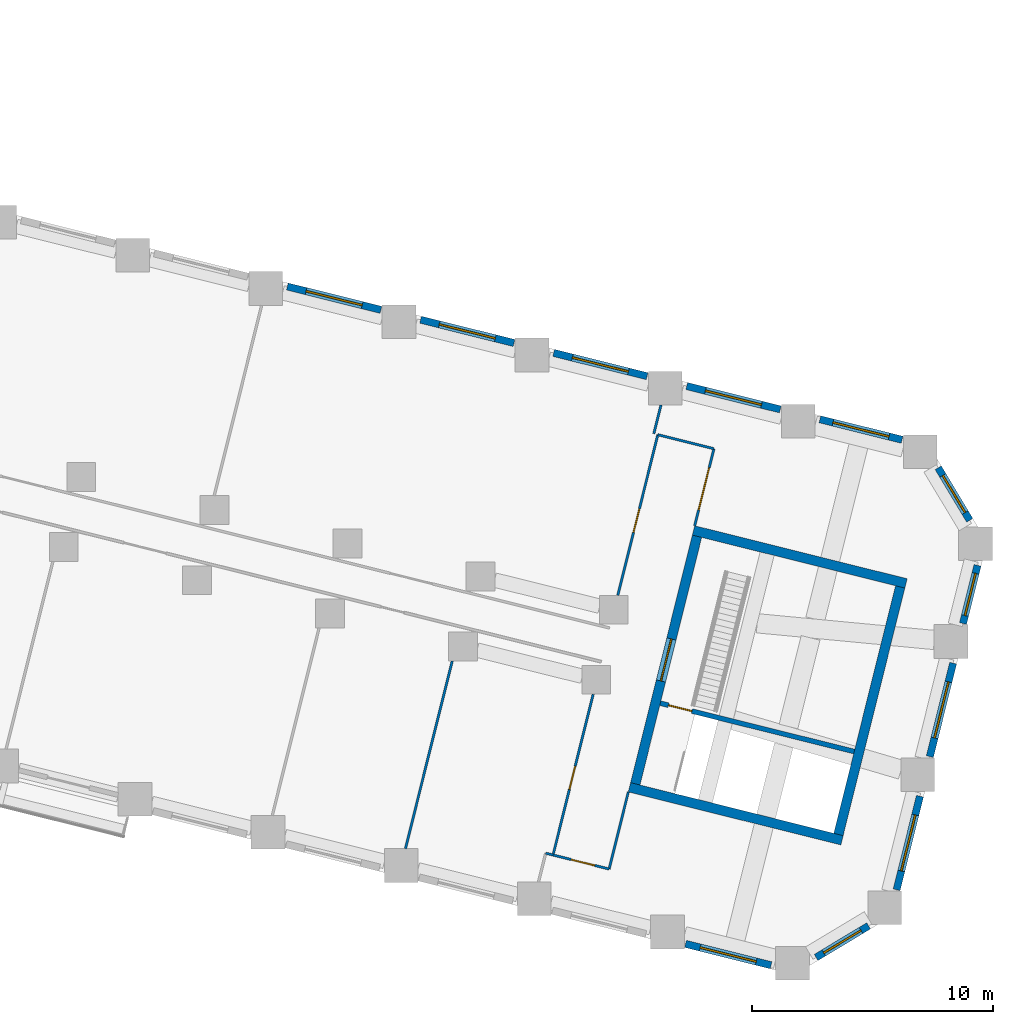
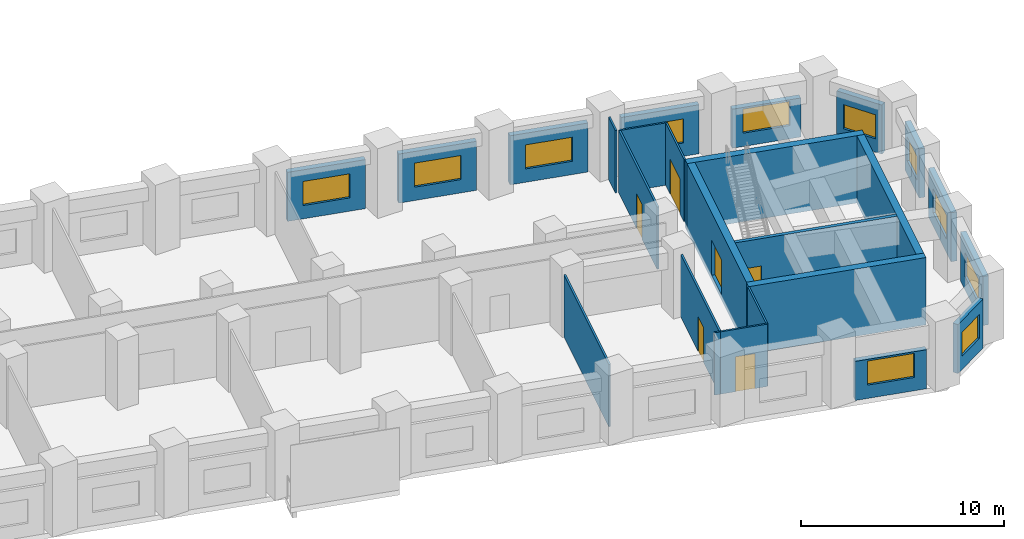
# One storey, part 8 of 12: 25 walls, 11 windows, 6 doors, 17 openings.
"""IFC4 building model written with IfcOpenShell, lengths in metres."""

from ifc_helpers import new_model, si_unit, direction, frame, frame_2d, origin, place, context, subcontext, project, spatial, rectangle, extrude, material, layer, layer_set, type_object, element, fill, save


model = new_model("IFC4")

# Units and contexts
model_context = context("Model", 3, precision=1e-05, world=origin(), true_north=direction((0.0, 1.0)))
body_context = subcontext(model_context, "Body", "Model", "MODEL_VIEW")
ifc_project = project(units=[si_unit("LENGTHUNIT", "METRE"), si_unit("AREAUNIT", "SQUARE_METRE"), si_unit("VOLUMEUNIT", "CUBIC_METRE"), si_unit("PLANEANGLEUNIT", "RADIAN"), si_unit("MASSUNIT", "GRAM", prefix="KILO")], contexts=[model_context])

# Site, building, storey
site_placement = place(None, origin())
site = spatial("IfcSite", under=ifc_project, at=site_placement, CompositionType="ELEMENT")
building_placement = place(site_placement, origin())
building = spatial("IfcBuilding", under=site, at=building_placement, Name="Meshkara Civic Tower", CompositionType="ELEMENT")
storey_placement = place(building_placement, frame((0.0, 0.0, 87.60009765625)))
storey = spatial("IfcBuildingStorey", under=building, at=storey_placement, Name="L19", CompositionType="ELEMENT", Elevation=87.60009765625)

# Wall, opening, door
ifc_material_1 = material(Name="Corridor wall 100")
ifc_layer_1 = layer(ifc_material_1, 0.10009765625)
ifc_layer_set_1 = layer_set([ifc_layer_1], Name="Corridor wall 100")
wall_type_1 = type_object("IfcWallType", Name="Corridor wall 100", PredefinedType="PARTITIONING", material=ifc_layer_set_1)
wall_1_placement = place(storey_placement, frame((72.93603515625, -15.7109375, 0.0), z_axis=(0.0, 0.0, 1.0), x_axis=(0.970232217337, -0.242176473756, 0.0)))
wall_1 = element("IfcWall", 1, at=wall_1_placement, inside=storey, type_object=wall_type_1, Name="L19-W024", PredefinedType="PARTITIONING", context=body_context, shape_type="SweptSolid", body=[
    extrude(rectangle(XDim=2.3994140625, YDim=0.10009765625, at=frame_2d((1.19970703125, 0.0))), origin(), (0.0, 0.0, 1.0), 3.75),
])
opening_1_placement = place(wall_1_placement, frame((0.780029296875, 0.0, 0.0)))
opening_1 = element("IfcOpeningElement", 2, at=opening_1_placement, cuts=wall_1, Name="Opening L19-D002", PredefinedType="OPENING", context=body_context, shape_type="SweptSolid", body=[
    extrude(rectangle(XDim=1.0, YDim=2.10009765625, at=frame_2d((0.5, 1.050048828125))), frame((0.0, 0.06005859375, 0.0), z_axis=(0.0, -1.0, 0.0), x_axis=(1.0, 0.0, 0.0)), (0.0, 0.0, 1.0), 0.1201171875),
])
ifc_material_2 = material(Name="Door 1000 x 2100")
door_type_1 = type_object("IfcDoorType", Name="Door 1000 x 2100", OperationType="SINGLE_SWING_LEFT", PredefinedType="DOOR", material=ifc_material_2)
door_1_placement = place(opening_1_placement, origin())
door_1 = element("IfcDoor", 3, at=door_1_placement, inside=storey, type_object=door_type_1, Name="L19-D002", OperationType="SINGLE_SWING_LEFT", OverallHeight=2.10009765625, OverallWidth=1.0, PredefinedType="DOOR", context=body_context, shape_type="SweptSolid", body=[
    extrude(rectangle(XDim=1.0, YDim=2.10009765625, at=frame_2d((0.5, 1.050048828125))), frame((0.0, 0.02490234375, 0.0), z_axis=(0.0, -1.0, 0.0), x_axis=(1.0, 0.0, 0.0)), (0.0, 0.0, 1.0), 0.050048828125),
])
fill(opening_1, door_1)

wall_2_placement = place(storey_placement, frame((74.60205078125, -9.029052734375, 0.0), z_axis=(0.0, 0.0, 1.0), x_axis=(-0.241926631527, -0.970294545465, 0.0)))
wall_2 = element("IfcWall", 4, at=wall_2_placement, inside=storey, type_object=wall_type_1, Name="L19-W025", PredefinedType="PARTITIONING", context=body_context, shape_type="SweptSolid", body=[
    extrude(rectangle(XDim=6.886474609375, YDim=0.10009765625, at=frame_2d((3.443359375, 0.0))), origin(), (0.0, 0.0, 1.0), 3.75),
])
opening_2_placement = place(wall_2_placement, frame((3.080078125, 0.0, 0.0)))
opening_2 = element("IfcOpeningElement", 5, at=opening_2_placement, cuts=wall_2, Name="Opening L19-D001", PredefinedType="OPENING", context=body_context, shape_type="SweptSolid", body=[
    extrude(rectangle(XDim=1.0, YDim=2.10009765625, at=frame_2d((0.5, 1.050048828125))), frame((0.0, 0.06005859375, 0.0), z_axis=(0.0, -1.0, 0.0), x_axis=(1.0, 0.0, 0.0)), (0.0, 0.0, 1.0), 0.1201171875),
])
door_2_placement = place(opening_2_placement, origin())
door_2 = element("IfcDoor", 6, at=door_2_placement, inside=storey, type_object=door_type_1, Name="L19-D001", OperationType="SINGLE_SWING_LEFT", OverallHeight=2.10009765625, OverallWidth=1.0, PredefinedType="DOOR", context=body_context, shape_type="SweptSolid", body=[
    extrude(rectangle(XDim=1.0, YDim=2.10009765625, at=frame_2d((0.5, 1.050048828125))), frame((0.0, 0.02490234375, 0.0), z_axis=(0.0, -1.0, 0.0), x_axis=(1.0, 0.0, 0.0)), (0.0, 0.0, 1.0), 0.050048828125),
])
fill(opening_2, door_2)

# Wall
wall_3_placement = place(storey_placement, frame((75.263916015625, -16.2919921875, 0.0), z_axis=(0.0, 0.0, 1.0), x_axis=(0.242135244173, 0.970242507587, 0.0)))
element("IfcWall", 7, at=wall_3_placement, inside=storey, type_object=wall_type_1, Name="L19-W026", PredefinedType="PARTITIONING", context=body_context, shape_type="SweptSolid", body=[
    extrude(rectangle(XDim=3.300048828125, YDim=0.10009765625, at=frame_2d((1.64990234375, 0.0))), origin(), (0.0, 0.0, 1.0), 3.75),
])

# Wall, opening, door
wall_4_placement = place(storey_placement, frame((77.2900390625, 1.75390625, 0.0), z_axis=(0.0, 0.0, 1.0), x_axis=(-0.241867218289, -0.970309357224, 0.0)))
wall_4 = element("IfcWall", 8, at=wall_4_placement, inside=storey, type_object=wall_type_1, Name="L19-W027", PredefinedType="PARTITIONING", context=body_context, shape_type="SweptSolid", body=[
    extrude(rectangle(XDim=6.8759765625, YDim=0.10009765625, at=frame_2d((3.43798828125, 0.0))), origin(), (0.0, 0.0, 1.0), 3.75),
])
opening_3_placement = place(wall_4_placement, frame((3.179931640625, 0.0, 0.0)))
opening_3 = element("IfcOpeningElement", 9, at=opening_3_placement, cuts=wall_4, Name="Opening L19-D008", PredefinedType="OPENING", context=body_context, shape_type="SweptSolid", body=[
    extrude(rectangle(XDim=1.0, YDim=2.10009765625, at=frame_2d((0.5, 1.050048828125))), frame((0.0, 0.06005859375, 0.0), z_axis=(0.0, -1.0, 0.0), x_axis=(1.0, 0.0, 0.0)), (0.0, 0.0, 1.0), 0.1201171875),
])
door_3_placement = place(opening_3_placement, origin())
door_3 = element("IfcDoor", 10, at=door_3_placement, inside=storey, type_object=door_type_1, Name="L19-D008", OperationType="SINGLE_SWING_LEFT", OverallHeight=2.10009765625, OverallWidth=1.0, PredefinedType="DOOR", context=body_context, shape_type="SweptSolid", body=[
    extrude(rectangle(XDim=1.0, YDim=2.10009765625, at=frame_2d((0.5, 1.050048828125))), frame((0.0, 0.02490234375, 0.0), z_axis=(0.0, -1.0, 0.0), x_axis=(1.0, 0.0, 0.0)), (0.0, 0.0, 1.0), 0.050048828125),
])
fill(opening_3, door_3)

wall_5_placement = place(storey_placement, frame((78.821044921875, -2.029052734375, 0.0), z_axis=(0.0, 0.0, 1.0), x_axis=(0.241769629392, 0.970333677816, 0.0)))
wall_5 = element("IfcWall", 11, at=wall_5_placement, inside=storey, type_object=wall_type_1, Name="L19-W028", PredefinedType="PARTITIONING", context=body_context, shape_type="SweptSolid", body=[
    extrude(rectangle(XDim=3.300048828125, YDim=0.10009765625, at=frame_2d((1.64990234375, 0.0))), origin(), (0.0, 0.0, 1.0), 3.75),
])
opening_4_placement = place(wall_5_placement, frame((0.679931640625, 0.0, 0.0)))
opening_4 = element("IfcOpeningElement", 12, at=opening_4_placement, cuts=wall_5, Name="Opening L19-D009", PredefinedType="OPENING", context=body_context, shape_type="SweptSolid", body=[
    extrude(rectangle(XDim=1.800048828125, YDim=2.10009765625, at=frame_2d((0.89990234375, 1.050048828125))), frame((0.0, 0.06005859375, 0.0), z_axis=(0.0, -1.0, 0.0), x_axis=(1.0, 0.0, 0.0)), (0.0, 0.0, 1.0), 0.1201171875),
])
ifc_material_3 = material(Name="Door pair 1800 x 2100")
door_type_2 = type_object("IfcDoorType", Name="Door pair 1800 x 2100", OperationType="SINGLE_SWING_LEFT", PredefinedType="DOOR", material=ifc_material_3)
door_4_placement = place(opening_4_placement, origin())
door_4 = element("IfcDoor", 13, at=door_4_placement, inside=storey, type_object=door_type_2, Name="L19-D009", OperationType="DOUBLE_DOOR_SINGLE_SWING", OverallHeight=2.10009765625, OverallWidth=1.800048828125, PredefinedType="DOOR", context=body_context, shape_type="SweptSolid", body=[
    extrude(rectangle(XDim=1.800048828125, YDim=2.10009765625, at=frame_2d((0.89990234375, 1.050048828125))), frame((0.0, 0.02490234375, 0.0), z_axis=(0.0, -1.0, 0.0), x_axis=(1.0, 0.0, 0.0)), (0.0, 0.0, 1.0), 0.050048828125),
])
fill(opening_4, door_4)

# Wall
wall_6_placement = place(storey_placement, frame((79.618896484375, 1.173095703125, 0.0), z_axis=(0.0, 0.0, 1.0), x_axis=(-0.970279961304, 0.241985116673, 0.0)))
element("IfcWall", 14, at=wall_6_placement, inside=storey, type_object=wall_type_1, Name="L19-W029", PredefinedType="PARTITIONING", context=body_context, shape_type="SweptSolid", body=[
    extrude(rectangle(XDim=2.400146484375, YDim=0.10009765625, at=frame_2d((1.2001953125, 0.0))), origin(), (0.0, 0.0, 1.0), 3.75),
])

# Wall, opening, window
ifc_material_4 = material(Name="Insulated infill panel with bronze anodised aluminium cladding", Category="aluminium")
ifc_layer_2 = layer(ifc_material_4, 0.300048828125)
ifc_layer_set_2 = layer_set([ifc_layer_2], Name="EXTERNAL INFILL WALL 300")
wall_type_2 = type_object("IfcWallType", Name="EXTERNAL INFILL WALL 300", PredefinedType="SOLIDWALL", material=ifc_layer_set_2)
wall_7_placement = place(storey_placement, frame((87.43505859375, 1.54296875, 0.0), z_axis=(0.0, 0.0, 1.0), x_axis=(-0.970289298425, 0.241947674843, 0.0)))
wall_7 = element("IfcWall", 15, at=wall_7_placement, inside=storey, type_object=wall_type_2, Name="External wall", PredefinedType="SOLIDWALL", context=body_context, shape_type="SweptSolid", body=[
    extrude(rectangle(XDim=3.517578125, YDim=0.300048828125, at=frame_2d((1.7587890625, 0.0))), origin(), (0.0, 0.0, 1.0), 2.349853515625),
])
opening_5_placement = place(wall_7_placement, frame((0.55908203125, 0.0, 0.800048828125)))
opening_5 = element("IfcOpeningElement", 16, at=opening_5_placement, cuts=wall_7, Name="Opening W8", PredefinedType="OPENING", context=body_context, shape_type="SweptSolid", body=[
    extrude(rectangle(XDim=2.39990234375, YDim=1.449951171875, at=frame_2d((1.199951171875, 0.72509765625))), frame((0.0, 0.159912109375, 0.0), z_axis=(0.0, -1.0, 0.0), x_axis=(1.0, 0.0, 0.0)), (0.0, 0.0, 1.0), 0.320068359375),
])
ifc_material_5 = material(Name="Tinted double glazing", Category="glass")
window_type_1 = type_object("IfcWindowType", Name="WINDOW 2400x1450", PartitioningType="DOUBLE_PANEL_VERTICAL", PredefinedType="WINDOW", material=ifc_material_5)
window_1_placement = place(opening_5_placement, origin())
window_1 = element("IfcWindow", 17, at=window_1_placement, inside=storey, type_object=window_type_1, Name="Window", OverallHeight=1.449951171875, OverallWidth=2.39990234375, PartitioningType="DOUBLE_PANEL_VERTICAL", PredefinedType="WINDOW", context=body_context, shape_type="SweptSolid", body=[
    extrude(rectangle(XDim=2.39990234375, YDim=1.449951171875, at=frame_2d((1.199951171875, 0.72509765625))), frame((0.0, 0.030029296875, 0.0), z_axis=(0.0, -1.0, 0.0), x_axis=(1.0, 0.0, 0.0)), (0.0, 0.0, 1.0), 0.06005859375),
])
fill(opening_5, window_1)

wall_8_placement = place(storey_placement, frame((82.375, 2.804931640625, 0.0), z_axis=(0.0, 0.0, 1.0), x_axis=(-0.970318045095, 0.24183236211, 0.0)))
wall_8 = element("IfcWall", 18, at=wall_8_placement, inside=storey, type_object=wall_type_2, Name="External wall", PredefinedType="SOLIDWALL", context=body_context, shape_type="SweptSolid", body=[
    extrude(rectangle(XDim=4.0029296875, YDim=0.300048828125, at=frame_2d((2.00146484375, 0.0))), origin(), (0.0, 0.0, 1.0), 2.949951171875),
])
opening_6_placement = place(wall_8_placement, frame((0.802001953125, 0.0, 0.800048828125)))
opening_6 = element("IfcOpeningElement", 19, at=opening_6_placement, cuts=wall_8, Name="Opening W8", PredefinedType="OPENING", context=body_context, shape_type="SweptSolid", body=[
    extrude(rectangle(XDim=2.39990234375, YDim=1.449951171875, at=frame_2d((1.199951171875, 0.72509765625))), frame((0.0, 0.159912109375, 0.0), z_axis=(0.0, -1.0, 0.0), x_axis=(1.0, 0.0, 0.0)), (0.0, 0.0, 1.0), 0.320068359375),
])
window_2_placement = place(opening_6_placement, origin())
window_2 = element("IfcWindow", 20, at=window_2_placement, inside=storey, type_object=window_type_1, Name="Window", OverallHeight=1.449951171875, OverallWidth=2.39990234375, PartitioningType="DOUBLE_PANEL_VERTICAL", PredefinedType="WINDOW", context=body_context, shape_type="SweptSolid", body=[
    extrude(rectangle(XDim=2.39990234375, YDim=1.449951171875, at=frame_2d((1.199951171875, 0.72509765625))), frame((0.0, 0.030029296875, 0.0), z_axis=(0.0, -1.0, 0.0), x_axis=(1.0, 0.0, 0.0)), (0.0, 0.0, 1.0), 0.06005859375),
])
fill(opening_6, window_2)

wall_9_placement = place(storey_placement, frame((76.843994140625, 4.18408203125, 0.0), z_axis=(0.0, 0.0, 1.0), x_axis=(-0.970303772127, 0.241889623168, 0.0)))
wall_9 = element("IfcWall", 21, at=wall_9_placement, inside=storey, type_object=wall_type_2, Name="External wall", PredefinedType="SOLIDWALL", context=body_context, shape_type="SweptSolid", body=[
    extrude(rectangle(XDim=4.001953125, YDim=0.300048828125, at=frame_2d((2.0009765625, 0.0))), origin(), (0.0, 0.0, 1.0), 2.949951171875),
])
opening_7_placement = place(wall_9_placement, frame((0.801025390625, 0.0, 0.800048828125)))
opening_7 = element("IfcOpeningElement", 22, at=opening_7_placement, cuts=wall_9, Name="Opening W8", PredefinedType="OPENING", context=body_context, shape_type="SweptSolid", body=[
    extrude(rectangle(XDim=2.39990234375, YDim=1.449951171875, at=frame_2d((1.199951171875, 0.72509765625))), frame((0.0, 0.159912109375, 0.0), z_axis=(0.0, -1.0, 0.0), x_axis=(1.0, 0.0, 0.0)), (0.0, 0.0, 1.0), 0.320068359375),
])
window_3_placement = place(opening_7_placement, origin())
window_3 = element("IfcWindow", 23, at=window_3_placement, inside=storey, type_object=window_type_1, Name="Window", OverallHeight=1.449951171875, OverallWidth=2.39990234375, PartitioningType="DOUBLE_PANEL_VERTICAL", PredefinedType="WINDOW", context=body_context, shape_type="SweptSolid", body=[
    extrude(rectangle(XDim=2.39990234375, YDim=1.449951171875, at=frame_2d((1.199951171875, 0.72509765625))), frame((0.0, 0.030029296875, 0.0), z_axis=(0.0, -1.0, 0.0), x_axis=(1.0, 0.0, 0.0)), (0.0, 0.0, 1.0), 0.06005859375),
])
fill(opening_7, window_3)

wall_10_placement = place(storey_placement, frame((71.31396484375, 5.56298828125, 0.0), z_axis=(0.0, 0.0, 1.0), x_axis=(-0.970318045095, 0.24183236211, 0.0)))
wall_10 = element("IfcWall", 24, at=wall_10_placement, inside=storey, type_object=wall_type_2, Name="External wall", PredefinedType="SOLIDWALL", context=body_context, shape_type="SweptSolid", body=[
    extrude(rectangle(XDim=4.0029296875, YDim=0.300048828125, at=frame_2d((2.00146484375, 0.0))), origin(), (0.0, 0.0, 1.0), 2.949951171875),
])
opening_8_placement = place(wall_10_placement, frame((0.802001953125, 0.0, 0.800048828125)))
opening_8 = element("IfcOpeningElement", 25, at=opening_8_placement, cuts=wall_10, Name="Opening W8", PredefinedType="OPENING", context=body_context, shape_type="SweptSolid", body=[
    extrude(rectangle(XDim=2.39990234375, YDim=1.449951171875, at=frame_2d((1.199951171875, 0.72509765625))), frame((0.0, 0.159912109375, 0.0), z_axis=(0.0, -1.0, 0.0), x_axis=(1.0, 0.0, 0.0)), (0.0, 0.0, 1.0), 0.320068359375),
])
window_4_placement = place(opening_8_placement, origin())
window_4 = element("IfcWindow", 26, at=window_4_placement, inside=storey, type_object=window_type_1, Name="Window", OverallHeight=1.449951171875, OverallWidth=2.39990234375, PartitioningType="DOUBLE_PANEL_VERTICAL", PredefinedType="WINDOW", context=body_context, shape_type="SweptSolid", body=[
    extrude(rectangle(XDim=2.39990234375, YDim=1.449951171875, at=frame_2d((1.199951171875, 0.72509765625))), frame((0.0, 0.030029296875, 0.0), z_axis=(0.0, -1.0, 0.0), x_axis=(1.0, 0.0, 0.0)), (0.0, 0.0, 1.0), 0.06005859375),
])
fill(opening_8, window_4)

wall_11_placement = place(storey_placement, frame((65.782958984375, 6.94189453125, 0.0), z_axis=(0.0, 0.0, 1.0), x_axis=(-0.970318045095, 0.24183236211, 0.0)))
wall_11 = element("IfcWall", 27, at=wall_11_placement, inside=storey, type_object=wall_type_2, Name="External wall", PredefinedType="SOLIDWALL", context=body_context, shape_type="SweptSolid", body=[
    extrude(rectangle(XDim=4.0029296875, YDim=0.300048828125, at=frame_2d((2.00146484375, 0.0))), origin(), (0.0, 0.0, 1.0), 2.949951171875),
])
opening_9_placement = place(wall_11_placement, frame((0.802001953125, 0.0, 0.800048828125)))
opening_9 = element("IfcOpeningElement", 28, at=opening_9_placement, cuts=wall_11, Name="Opening W8", PredefinedType="OPENING", context=body_context, shape_type="SweptSolid", body=[
    extrude(rectangle(XDim=2.39990234375, YDim=1.449951171875, at=frame_2d((1.199951171875, 0.72509765625))), frame((0.0, 0.159912109375, 0.0), z_axis=(0.0, -1.0, 0.0), x_axis=(1.0, 0.0, 0.0)), (0.0, 0.0, 1.0), 0.320068359375),
])
window_5_placement = place(opening_9_placement, origin())
window_5 = element("IfcWindow", 29, at=window_5_placement, inside=storey, type_object=window_type_1, Name="Window", OverallHeight=1.449951171875, OverallWidth=2.39990234375, PartitioningType="DOUBLE_PANEL_VERTICAL", PredefinedType="WINDOW", context=body_context, shape_type="SweptSolid", body=[
    extrude(rectangle(XDim=2.39990234375, YDim=1.449951171875, at=frame_2d((1.199951171875, 0.72509765625))), frame((0.0, 0.030029296875, 0.0), z_axis=(0.0, -1.0, 0.0), x_axis=(1.0, 0.0, 0.0)), (0.0, 0.0, 1.0), 0.06005859375),
])
fill(opening_9, window_5)

wall_12_placement = place(storey_placement, frame((78.43994140625, -19.402099609375, 0.0), z_axis=(0.0, 0.0, 1.0), x_axis=(0.970271818873, -0.24201776278, 0.0)))
wall_12 = element("IfcWall", 30, at=wall_12_placement, inside=storey, type_object=wall_type_2, Name="External wall", PredefinedType="SOLIDWALL", context=body_context, shape_type="SweptSolid", body=[
    extrude(rectangle(XDim=3.660888671875, YDim=0.300048828125, at=frame_2d((1.83056640625, 0.0))), origin(), (0.0, 0.0, 1.0), 2.349853515625),
])
opening_10_placement = place(wall_12_placement, frame((0.6298828125, 0.0, 0.800048828125)))
opening_10 = element("IfcOpeningElement", 31, at=opening_10_placement, cuts=wall_12, Name="Opening W8", PredefinedType="OPENING", context=body_context, shape_type="SweptSolid", body=[
    extrude(rectangle(XDim=2.39990234375, YDim=1.449951171875, at=frame_2d((1.199951171875, 0.72509765625))), frame((0.0, 0.159912109375, 0.0), z_axis=(0.0, -1.0, 0.0), x_axis=(1.0, 0.0, 0.0)), (0.0, 0.0, 1.0), 0.320068359375),
])
window_6_placement = place(opening_10_placement, origin())
window_6 = element("IfcWindow", 32, at=window_6_placement, inside=storey, type_object=window_type_1, Name="Window", OverallHeight=1.449951171875, OverallWidth=2.39990234375, PartitioningType="DOUBLE_PANEL_VERTICAL", PredefinedType="WINDOW", context=body_context, shape_type="SweptSolid", body=[
    extrude(rectangle(XDim=2.39990234375, YDim=1.449951171875, at=frame_2d((1.199951171875, 0.72509765625))), frame((0.0, 0.030029296875, 0.0), z_axis=(0.0, -1.0, 0.0), x_axis=(1.0, 0.0, 0.0)), (0.0, 0.0, 1.0), 0.06005859375),
])
fill(opening_10, window_6)

wall_13_placement = place(storey_placement, frame((83.865966796875, -19.965087890625, 0.0), z_axis=(0.0, 0.0, 1.0), x_axis=(0.857026568426, 0.515272220299, 0.0)))
wall_13 = element("IfcWall", 33, at=wall_13_placement, inside=storey, type_object=wall_type_2, Name="External wall", PredefinedType="SOLIDWALL", context=body_context, shape_type="SweptSolid", body=[
    extrude(rectangle(XDim=2.54248046875, YDim=0.300048828125, at=frame_2d((1.271240234375, 0.0))), origin(), (0.0, 0.0, 1.0), 2.949951171875),
])
opening_11_placement = place(wall_13_placement, frame((0.37109375, 0.0, 0.800048828125)))
opening_11 = element("IfcOpeningElement", 34, at=opening_11_placement, cuts=wall_13, Name="Opening W10", PredefinedType="OPENING", context=body_context, shape_type="SweptSolid", body=[
    extrude(rectangle(XDim=1.800048828125, YDim=1.449951171875, at=frame_2d((0.89990234375, 0.72509765625))), frame((0.0, 0.159912109375, 0.0), z_axis=(0.0, -1.0, 0.0), x_axis=(1.0, 0.0, 0.0)), (0.0, 0.0, 1.0), 0.320068359375),
])
ifc_material_6 = material(Name="Tinted double glazing", Category="glass")
window_type_2 = type_object("IfcWindowType", Name="WINDOW 1800x1450", PartitioningType="DOUBLE_PANEL_VERTICAL", PredefinedType="WINDOW", material=ifc_material_6)
window_7_placement = place(opening_11_placement, origin())
window_7 = element("IfcWindow", 35, at=window_7_placement, inside=storey, type_object=window_type_2, Name="Window", OverallHeight=1.449951171875, OverallWidth=1.800048828125, PartitioningType="DOUBLE_PANEL_VERTICAL", PredefinedType="WINDOW", context=body_context, shape_type="SweptSolid", body=[
    extrude(rectangle(XDim=1.800048828125, YDim=1.449951171875, at=frame_2d((0.89990234375, 0.72509765625))), frame((0.0, 0.030029296875, 0.0), z_axis=(0.0, -1.0, 0.0), x_axis=(1.0, 0.0, 0.0)), (0.0, 0.0, 1.0), 0.06005859375),
])
fill(opening_11, window_7)

wall_14_placement = place(storey_placement, frame((87.2109375, -17.152099609375, 0.0), z_axis=(0.0, 0.0, 1.0), x_axis=(0.24183236211, 0.970318045095, 0.0)))
wall_14 = element("IfcWall", 36, at=wall_14_placement, inside=storey, type_object=wall_type_2, Name="External wall", PredefinedType="SOLIDWALL", context=body_context, shape_type="SweptSolid", body=[
    extrude(rectangle(XDim=4.0029296875, YDim=0.300048828125, at=frame_2d((2.00146484375, 0.0))), origin(), (0.0, 0.0, 1.0), 2.949951171875),
])
opening_12_placement = place(wall_14_placement, frame((0.802001953125, 0.0, 0.800048828125)))
opening_12 = element("IfcOpeningElement", 37, at=opening_12_placement, cuts=wall_14, Name="Opening W8", PredefinedType="OPENING", context=body_context, shape_type="SweptSolid", body=[
    extrude(rectangle(XDim=2.39990234375, YDim=1.449951171875, at=frame_2d((1.199951171875, 0.72509765625))), frame((0.0, 0.159912109375, 0.0), z_axis=(0.0, -1.0, 0.0), x_axis=(1.0, 0.0, 0.0)), (0.0, 0.0, 1.0), 0.320068359375),
])
window_8_placement = place(opening_12_placement, origin())
window_8 = element("IfcWindow", 38, at=window_8_placement, inside=storey, type_object=window_type_1, Name="Window", OverallHeight=1.449951171875, OverallWidth=2.39990234375, PartitioningType="DOUBLE_PANEL_VERTICAL", PredefinedType="WINDOW", context=body_context, shape_type="SweptSolid", body=[
    extrude(rectangle(XDim=2.39990234375, YDim=1.449951171875, at=frame_2d((1.199951171875, 0.72509765625))), frame((0.0, 0.030029296875, 0.0), z_axis=(0.0, -1.0, 0.0), x_axis=(1.0, 0.0, 0.0)), (0.0, 0.0, 1.0), 0.06005859375),
])
fill(opening_12, window_8)

wall_15_placement = place(storey_placement, frame((88.590087890625, -11.62109375, 0.0), z_axis=(0.0, 0.0, 1.0), x_axis=(0.241889623168, 0.970303772127, 0.0)))
wall_15 = element("IfcWall", 39, at=wall_15_placement, inside=storey, type_object=wall_type_2, Name="External wall", PredefinedType="SOLIDWALL", context=body_context, shape_type="SweptSolid", body=[
    extrude(rectangle(XDim=4.001953125, YDim=0.300048828125, at=frame_2d((2.0009765625, 0.0))), origin(), (0.0, 0.0, 1.0), 2.949951171875),
])
opening_13_placement = place(wall_15_placement, frame((0.801025390625, 0.0, 0.800048828125)))
opening_13 = element("IfcOpeningElement", 40, at=opening_13_placement, cuts=wall_15, Name="Opening W8", PredefinedType="OPENING", context=body_context, shape_type="SweptSolid", body=[
    extrude(rectangle(XDim=2.39990234375, YDim=1.449951171875, at=frame_2d((1.199951171875, 0.72509765625))), frame((0.0, 0.159912109375, 0.0), z_axis=(0.0, -1.0, 0.0), x_axis=(1.0, 0.0, 0.0)), (0.0, 0.0, 1.0), 0.320068359375),
])
window_9_placement = place(opening_13_placement, origin())
window_9 = element("IfcWindow", 41, at=window_9_placement, inside=storey, type_object=window_type_1, Name="Window", OverallHeight=1.449951171875, OverallWidth=2.39990234375, PartitioningType="DOUBLE_PANEL_VERTICAL", PredefinedType="WINDOW", context=body_context, shape_type="SweptSolid", body=[
    extrude(rectangle(XDim=2.39990234375, YDim=1.449951171875, at=frame_2d((1.199951171875, 0.72509765625))), frame((0.0, 0.030029296875, 0.0), z_axis=(0.0, -1.0, 0.0), x_axis=(1.0, 0.0, 0.0)), (0.0, 0.0, 1.0), 0.06005859375),
])
fill(opening_13, window_9)

wall_16_placement = place(storey_placement, frame((89.968994140625, -6.091064453125, 0.0), z_axis=(0.0, 0.0, 1.0), x_axis=(0.241797277733, 0.9703267885, 0.0)))
wall_16 = element("IfcWall", 42, at=wall_16_placement, inside=storey, type_object=wall_type_2, Name="External wall", PredefinedType="SOLIDWALL", context=body_context, shape_type="SweptSolid", body=[
    extrude(rectangle(XDim=2.489990234375, YDim=0.300048828125, at=frame_2d((1.2451171875, 0.0))), origin(), (0.0, 0.0, 1.0), 2.949951171875),
])
opening_14_placement = place(wall_16_placement, frame((0.344970703125, 0.0, 0.800048828125)))
opening_14 = element("IfcOpeningElement", 43, at=opening_14_placement, cuts=wall_16, Name="Opening W10", PredefinedType="OPENING", context=body_context, shape_type="SweptSolid", body=[
    extrude(rectangle(XDim=1.800048828125, YDim=1.449951171875, at=frame_2d((0.89990234375, 0.72509765625))), frame((0.0, 0.159912109375, 0.0), z_axis=(0.0, -1.0, 0.0), x_axis=(1.0, 0.0, 0.0)), (0.0, 0.0, 1.0), 0.320068359375),
])
window_10_placement = place(opening_14_placement, origin())
window_10 = element("IfcWindow", 44, at=window_10_placement, inside=storey, type_object=window_type_2, Name="Window", OverallHeight=1.449951171875, OverallWidth=1.800048828125, PartitioningType="DOUBLE_PANEL_VERTICAL", PredefinedType="WINDOW", context=body_context, shape_type="SweptSolid", body=[
    extrude(rectangle(XDim=1.800048828125, YDim=1.449951171875, at=frame_2d((0.89990234375, 0.72509765625))), frame((0.0, 0.030029296875, 0.0), z_axis=(0.0, -1.0, 0.0), x_axis=(1.0, 0.0, 0.0)), (0.0, 0.0, 1.0), 0.06005859375),
])
fill(opening_14, window_10)

wall_17_placement = place(storey_placement, frame((90.248046875, -1.801025390625, 0.0), z_axis=(0.0, 0.0, 1.0), x_axis=(-0.515441886055, 0.856924536992, 0.0)))
wall_17 = element("IfcWall", 45, at=wall_17_placement, inside=storey, type_object=wall_type_2, Name="External wall", PredefinedType="SOLIDWALL", context=body_context, shape_type="SweptSolid", body=[
    extrude(rectangle(XDim=2.54150390625, YDim=0.300048828125, at=frame_2d((1.270751953125, 0.0))), origin(), (0.0, 0.0, 1.0), 2.949951171875),
])
opening_15_placement = place(wall_17_placement, frame((0.37109375, 0.0, 0.800048828125)))
opening_15 = element("IfcOpeningElement", 46, at=opening_15_placement, cuts=wall_17, Name="Opening W10", PredefinedType="OPENING", context=body_context, shape_type="SweptSolid", body=[
    extrude(rectangle(XDim=1.800048828125, YDim=1.449951171875, at=frame_2d((0.89990234375, 0.72509765625))), frame((0.0, 0.159912109375, 0.0), z_axis=(0.0, -1.0, 0.0), x_axis=(1.0, 0.0, 0.0)), (0.0, 0.0, 1.0), 0.320068359375),
])
window_11_placement = place(opening_15_placement, origin())
window_11 = element("IfcWindow", 47, at=window_11_placement, inside=storey, type_object=window_type_2, Name="Window", OverallHeight=1.449951171875, OverallWidth=1.800048828125, PartitioningType="DOUBLE_PANEL_VERTICAL", PredefinedType="WINDOW", context=body_context, shape_type="SweptSolid", body=[
    extrude(rectangle(XDim=1.800048828125, YDim=1.449951171875, at=frame_2d((0.89990234375, 0.72509765625))), frame((0.0, 0.030029296875, 0.0), z_axis=(0.0, -1.0, 0.0), x_axis=(1.0, 0.0, 0.0)), (0.0, 0.0, 1.0), 0.06005859375),
])
fill(opening_15, window_11)

# Walls
ifc_material_7 = material(Name="Concrete C80", Category="concrete")
ifc_layer_3 = layer(ifc_material_7, 0.39990234375)
ifc_layer_set_3 = layer_set([ifc_layer_3], Name="End core ring wall 400 C80")
wall_type_3 = type_object("IfcWallType", Name="End core ring wall 400 C80", PredefinedType="SHEAR", material=ifc_layer_set_3)
wall_18_placement = place(storey_placement, frame((76.111083984375, -12.89599609375, -0.300048828125), z_axis=(0.0, 0.0, 1.0), x_axis=(0.970311127573, -0.241860115992, 0.0)))
element("IfcWall", 48, at=wall_18_placement, inside=storey, type_object=wall_type_3, Name="L19-C031", PredefinedType="SHEAR", context=body_context, shape_type="SweptSolid", body=[
    extrude(rectangle(XDim=9.10009765625, YDim=0.39990234375, at=frame_2d((4.550048828125, 0.0))), origin(), (0.0, 0.0, 1.0), 4.050048828125),
])
wall_19_placement = place(storey_placement, frame((78.77197265625, -2.222900390625, -0.300048828125), z_axis=(0.0, 0.0, 1.0), x_axis=(0.970306400786, -0.241879078453, 0.0)))
element("IfcWall", 49, at=wall_19_placement, inside=storey, type_object=wall_type_3, Name="L19-C032", PredefinedType="SHEAR", context=body_context, shape_type="SweptSolid", body=[
    extrude(rectangle(XDim=9.100341796875, YDim=0.39990234375, at=frame_2d((4.55029296875, 0.0))), origin(), (0.0, 0.0, 1.0), 4.050048828125),
])

# Wall, opening, door
wall_20_placement = place(storey_placement, frame((76.35302734375, -12.75, -0.300048828125), z_axis=(0.0, 0.0, 1.0), x_axis=(0.241977390218, 0.970281888228, 0.0)))
wall_20 = element("IfcWall", 50, at=wall_20_placement, inside=storey, type_object=wall_type_3, Name="L19-C033", PredefinedType="SHEAR", context=body_context, shape_type="SweptSolid", body=[
    extrude(rectangle(XDim=10.599853515625, YDim=0.39990234375, at=frame_2d((5.2998046875, 0.0))), origin(), (0.0, 0.0, 1.0), 4.050048828125),
])
opening_16_placement = place(wall_20_placement, frame((4.39990234375, 0.0, 0.300048828125)))
opening_16 = element("IfcOpeningElement", 51, at=opening_16_placement, cuts=wall_20, Name="Opening L19-K202", PredefinedType="OPENING", context=body_context, shape_type="SweptSolid", body=[
    extrude(rectangle(XDim=1.800048828125, YDim=2.10009765625, at=frame_2d((0.89990234375, 1.050048828125))), frame((0.0, 0.2099609375, 0.0), z_axis=(0.0, -1.0, 0.0), x_axis=(1.0, 0.0, 0.0)), (0.0, 0.0, 1.0), 0.419921875),
])
ifc_material_8 = material(Name="Fire-rated door leaf in steel frame", Category="steel")
door_type_3 = type_object("IfcDoorType", Name="Core double door 1800 EI 60", OperationType="DOUBLE_DOOR_SINGLE_SWING", PredefinedType="DOOR", material=ifc_material_8)
door_5_placement = place(opening_16_placement, origin())
door_5 = element("IfcDoor", 52, at=door_5_placement, inside=storey, type_object=door_type_3, Name="L19-K202", OperationType="DOUBLE_DOOR_SINGLE_SWING", OverallHeight=2.10009765625, OverallWidth=1.800048828125, PredefinedType="DOOR", context=body_context, shape_type="SweptSolid", body=[
    extrude(rectangle(XDim=1.800048828125, YDim=2.10009765625, at=frame_2d((0.89990234375, 1.050048828125))), frame((0.0, 0.02490234375, 0.0), z_axis=(0.0, -1.0, 0.0), x_axis=(1.0, 0.0, 0.0)), (0.0, 0.0, 1.0), 0.050048828125),
])
fill(opening_16, door_5)

# Walls
wall_21_placement = place(storey_placement, frame((84.794921875, -14.85498046875, -0.300048828125), z_axis=(0.0, 0.0, 1.0), x_axis=(0.241890652548, 0.970303515509, 0.0)))
element("IfcWall", 53, at=wall_21_placement, inside=storey, type_object=wall_type_3, Name="L19-C034", PredefinedType="SHEAR", context=body_context, shape_type="SweptSolid", body=[
    extrude(rectangle(XDim=10.599609375, YDim=0.39990234375, at=frame_2d((5.2998046875, 0.0))), origin(), (0.0, 0.0, 1.0), 4.050048828125),
])
ifc_material_9 = material(Name="Partition 100")
ifc_layer_4 = layer(ifc_material_9, 0.10009765625)
ifc_layer_set_4 = layer_set([ifc_layer_4], Name="Partition 100")
wall_type_4 = type_object("IfcWallType", Name="Partition 100", PredefinedType="PARTITIONING", material=ifc_layer_set_4)
wall_22_placement = place(storey_placement, frame((66.802001953125, -15.447998046875, 0.0), z_axis=(0.0, 0.0, 1.0), x_axis=(0.242013819749, 0.970272802386, 0.0)))
element("IfcWall", 54, at=wall_22_placement, inside=storey, type_object=wall_type_4, Name="L19-W053", PredefinedType="PARTITIONING", context=body_context, shape_type="SweptSolid", body=[
    extrude(rectangle(XDim=8.037109375, YDim=0.10009765625, at=frame_2d((4.0185546875, 0.0))), origin(), (0.0, 0.0, 1.0), 3.75),
])
wall_23_placement = place(storey_placement, frame((72.6298828125, -15.635009765625, 0.0), z_axis=(0.0, 0.0, 1.0), x_axis=(0.970590389113, -0.240736986276, 0.0)))
element("IfcWall", 55, at=wall_23_placement, inside=storey, type_object=wall_type_4, Name="L19-W055", PredefinedType="PARTITIONING", context=body_context, shape_type="SweptSolid", body=[
    extrude(rectangle(XDim=0.3193359375, YDim=0.10009765625, at=frame_2d((0.15966796875, 0.0))), origin(), (0.0, 0.0, 1.0), 3.75),
])
wall_24_placement = place(storey_placement, frame((77.1240234375, 1.794921875, 0.0), z_axis=(0.0, 0.0, 1.0), x_axis=(0.241647114831, 0.970364195493, 0.0)))
element("IfcWall", 56, at=wall_24_placement, inside=storey, type_object=wall_type_4, Name="L19-W056", PredefinedType="PARTITIONING", context=body_context, shape_type="SweptSolid", body=[
    extrude(rectangle(XDim=1.228515625, YDim=0.10009765625, at=frame_2d((0.6142578125, 0.0))), origin(), (0.0, 0.0, 1.0), 3.75),
])

# Wall, opening, door
ifc_material_10 = material(Name="Concrete C40/50", Category="concrete")
ifc_layer_5 = layer(ifc_material_10, 0.199951171875)
ifc_layer_set_5 = layer_set([ifc_layer_5], Name="Stair enclosure wall 200 C40/50")
wall_type_5 = type_object("IfcWallType", Name="Stair enclosure wall 200 C40/50", PredefinedType="SOLIDWALL", material=ifc_layer_set_5)
wall_25_placement = place(storey_placement, frame((77.39404296875, -9.403076171875, 0.0), z_axis=(0.0, 0.0, 1.0), x_axis=(0.970303192681, -0.241891947516, 0.0)))
wall_25 = element("IfcWall", 57, at=wall_25_placement, inside=storey, type_object=wall_type_5, Name="L19-C035", PredefinedType="SOLIDWALL", context=body_context, shape_type="SweptSolid", body=[
    extrude(rectangle(XDim=8.300537109375, YDim=0.199951171875, at=frame_2d((4.150390625, 0.0))), origin(), (0.0, 0.0, 1.0), 3.75),
])
opening_17_placement = place(wall_25_placement, frame((0.35009765625, 0.0, 0.0)))
opening_17 = element("IfcOpeningElement", 58, at=opening_17_placement, cuts=wall_25, Name="Opening L19-K201", PredefinedType="OPENING", context=body_context, shape_type="SweptSolid", body=[
    extrude(rectangle(XDim=1.0, YDim=2.10009765625, at=frame_2d((0.5, 1.050048828125))), frame((0.0, 0.10986328125, 0.0), z_axis=(0.0, -1.0, 0.0), x_axis=(1.0, 0.0, 0.0)), (0.0, 0.0, 1.0), 0.219970703125),
])
ifc_material_11 = material(Name="Fire-rated door leaf in steel frame", Category="steel")
door_type_4 = type_object("IfcDoorType", Name="Stair door 1000 EI 120", OperationType="SINGLE_SWING_LEFT", PredefinedType="DOOR", material=ifc_material_11)
door_6_placement = place(opening_17_placement, origin())
door_6 = element("IfcDoor", 59, at=door_6_placement, inside=storey, type_object=door_type_4, Name="L19-K201", OperationType="SINGLE_SWING_LEFT", OverallHeight=2.10009765625, OverallWidth=1.0, PredefinedType="DOOR", context=body_context, shape_type="SweptSolid", body=[
    extrude(rectangle(XDim=1.0, YDim=2.10009765625, at=frame_2d((0.5, 1.050048828125))), frame((0.0, 0.02490234375, 0.0), z_axis=(0.0, -1.0, 0.0), x_axis=(1.0, 0.0, 0.0)), (0.0, 0.0, 1.0), 0.050048828125),
])
fill(opening_17, door_6)

save(model, "model.ifc")
